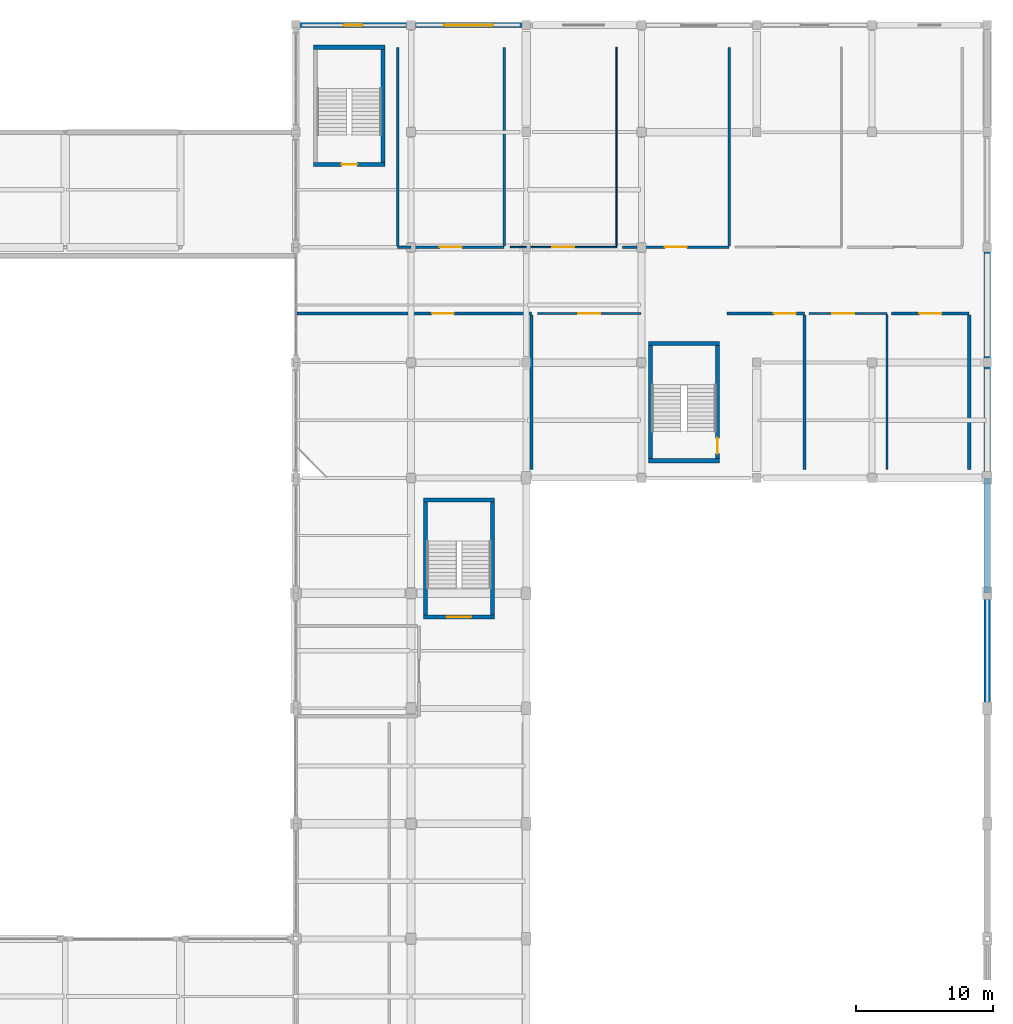
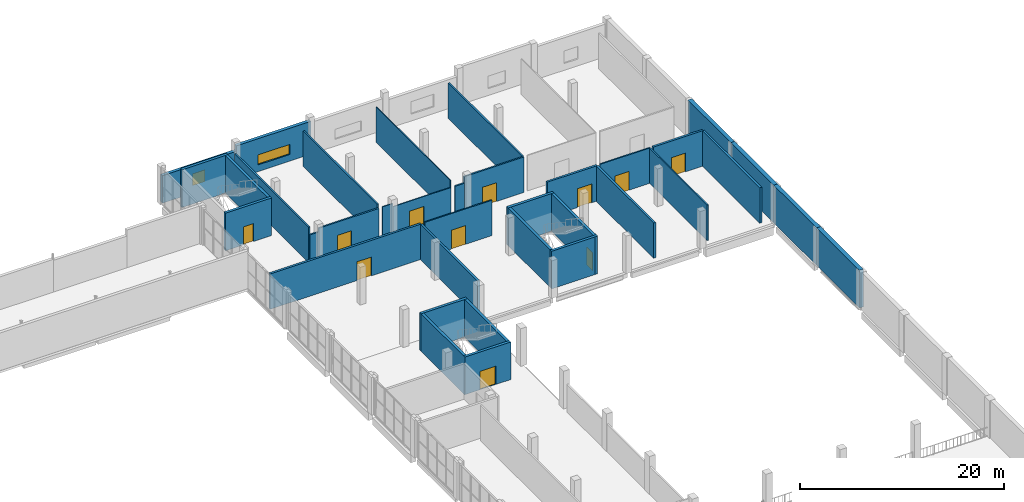
# One storey, part 64 of 75: 36 walls, 11 doors, 2 windows, 13 openings.
"""IFC4 building model written with IfcOpenShell, lengths in metres."""

from ifc_helpers import new_model, si_unit, derived_unit, direction, frame, frame_2d, origin, place, context, subcontext, project, spatial, rectangle, extrude, material, layer, layer_set, type_object, element, fill, save


model = new_model("IFC4")

# Units and contexts
model_context = context("Model", 3, precision=1e-05, world=origin(), true_north=direction((0.0, 1.0)))
body_context = subcontext(model_context, "Body", "Model", "MODEL_VIEW")
ifc_project = project(units=[si_unit("LENGTHUNIT", "METRE"), si_unit("AREAUNIT", "SQUARE_METRE"), si_unit("VOLUMEUNIT", "CUBIC_METRE"), si_unit("PLANEANGLEUNIT", "RADIAN"), si_unit("MASSUNIT", "GRAM", prefix="KILO"), derived_unit("THERMALTRANSMITTANCEUNIT", [(si_unit("POWERUNIT", "WATT"), 1), (si_unit("LENGTHUNIT", "METRE"), -2), (si_unit("THERMODYNAMICTEMPERATUREUNIT", "KELVIN"), -1)])], contexts=[model_context])

# Site, building, storey
site_placement = place(None, origin())
site = spatial("IfcSite", under=ifc_project, at=site_placement, CompositionType="ELEMENT")
building_placement = place(site_placement, origin())
building = spatial("IfcBuilding", under=site, at=building_placement, Name="Barrovel Congress Hotel", CompositionType="ELEMENT")
storey_placement = place(building_placement, frame((0.0, 0.0, 5.39990234375)))
storey = spatial("IfcBuildingStorey", under=building, at=storey_placement, Name="L01", CompositionType="ELEMENT", Elevation=5.39990234375)

# Wall, opening, window
ifc_material_1 = material(Name="Fired Clay Brick Masonry", Category="masonry")
ifc_layer_1 = layer(ifc_material_1, 0.360107421875)
ifc_layer_set_1 = layer_set([ifc_layer_1], Name="Fired Clay Brick Masonry")
wall_type_1 = type_object("IfcWallType", Name="EW-BRK360", PredefinedType="STANDARD", material=ifc_layer_set_1)
wall_1_placement = place(storey_placement, frame((142.800048828125, 112.800048828125, 0.0), z_axis=(0.0, 0.0, 1.0), x_axis=(-1.0, 0.0, 0.0)))
wall_1 = element("IfcWall", 1, at=wall_1_placement, inside=storey, type_object=wall_type_1, Name="EW:L01:V3N:16", PredefinedType="STANDARD", context=body_context, shape_type="SweptSolid", body=[
    extrude(rectangle(XDim=8.400146484375, YDim=0.360107421875, at=frame_2d((4.2001953125, 0.0))), origin(), (0.0, 0.0, 1.0), 3.93017578125),
])
opening_1_placement = place(wall_1_placement, frame((2.39990234375, 0.0, 0.800048828125)))
opening_1 = element("IfcOpeningElement", 2, at=opening_1_placement, cuts=wall_1, Name="Opening WN-17", PredefinedType="OPENING", context=body_context, shape_type="SweptSolid", body=[
    extrude(rectangle(XDim=3.60009765625, YDim=1.199951171875, at=frame_2d((1.800048828125, 0.60009765625))), frame((0.0, 0.18994140625, 0.0), z_axis=(0.0, -1.0, 0.0), x_axis=(1.0, 0.0, 0.0)), (0.0, 0.0, 1.0), 0.380126953125),
])
ifc_material_2 = material(Name="Double Low-E Insulated Glazing", Category="glass")
window_type_1 = type_object("IfcWindowType", Name="WIN-WN-17", PartitioningType="SINGLE_PANEL", PredefinedType="WINDOW", material=ifc_material_2)
window_1_placement = place(opening_1_placement, origin())
window_1 = element("IfcWindow", 3, at=window_1_placement, inside=storey, type_object=window_type_1, Name="WIN:L01:V3N:16", OverallHeight=1.199951171875, OverallWidth=3.60009765625, PartitioningType="SINGLE_PANEL", PredefinedType="WINDOW", context=body_context, shape_type="SweptSolid", body=[
    extrude(rectangle(XDim=3.60009765625, YDim=1.199951171875, at=frame_2d((1.800048828125, 0.60009765625))), frame((0.0, 0.030029296875, 0.0), z_axis=(0.0, -1.0, 0.0), x_axis=(1.0, 0.0, 0.0)), (0.0, 0.0, 1.0), 0.06005859375),
])
fill(opening_1, window_1)

wall_2_placement = place(storey_placement, frame((134.39990234375, 112.800048828125, 0.0), z_axis=(0.0, 0.0, 1.0), x_axis=(-1.0, 0.0, 0.0)))
wall_2 = element("IfcWall", 4, at=wall_2_placement, inside=storey, type_object=wall_type_1, Name="EW:L01:V3N:15", PredefinedType="STANDARD", context=body_context, shape_type="SweptSolid", body=[
    extrude(rectangle(XDim=8.39990234375, YDim=0.360107421875, at=frame_2d((4.199951171875, 0.0))), origin(), (0.0, 0.0, 1.0), 3.2900390625),
])
opening_2_placement = place(wall_2_placement, frame((3.5, 0.0, 0.800048828125)))
opening_2 = element("IfcOpeningElement", 5, at=opening_2_placement, cuts=wall_2, Name="Opening WN-18", PredefinedType="OPENING", context=body_context, shape_type="SweptSolid", body=[
    extrude(rectangle(XDim=1.39990234375, YDim=1.39990234375, at=frame_2d((0.699951171875, 0.699951171875))), frame((0.0, 0.18994140625, 0.0), z_axis=(0.0, -1.0, 0.0), x_axis=(1.0, 0.0, 0.0)), (0.0, 0.0, 1.0), 0.380126953125),
])
window_type_2 = type_object("IfcWindowType", Name="WIN-WN-18", PartitioningType="SINGLE_PANEL", PredefinedType="WINDOW", material=ifc_material_2)
window_2_placement = place(opening_2_placement, origin())
window_2 = element("IfcWindow", 6, at=window_2_placement, inside=storey, type_object=window_type_2, Name="WIN:L01:V3N:15", OverallHeight=1.39990234375, OverallWidth=1.39990234375, PartitioningType="SINGLE_PANEL", PredefinedType="WINDOW", context=body_context, shape_type="SweptSolid", body=[
    extrude(rectangle(XDim=1.39990234375, YDim=1.39990234375, at=frame_2d((0.699951171875, 0.699951171875))), frame((0.0, 0.030029296875, 0.0), z_axis=(0.0, -1.0, 0.0), x_axis=(1.0, 0.0, 0.0)), (0.0, 0.0, 1.0), 0.06005859375),
])
fill(opening_2, window_2)

# Walls
ifc_layer_2 = layer(ifc_material_1, 0.449951171875)
ifc_layer_set_2 = layer_set([ifc_layer_2], Name="Fired Clay Brick Masonry")
wall_type_2 = type_object("IfcWallType", Name="EW-PW450", PredefinedType="STANDARD", material=ifc_layer_set_2)
wall_3_placement = place(storey_placement, frame((176.39990234375, 63.0, 0.0), z_axis=(0.0, 0.0, 1.0), x_axis=(0.0, 1.0, 0.0)))
element("IfcWall", 7, at=wall_3_placement, inside=storey, type_object=wall_type_2, Name="EW:L01:PARTY:63.0", PredefinedType="STANDARD", context=body_context, shape_type="SweptSolid", body=[
    extrude(rectangle(XDim=8.39990234375, YDim=0.449951171875, at=frame_2d((4.199951171875, 0.0))), origin(), (0.0, 0.0, 1.0), 4.5),
])
wall_4_placement = place(storey_placement, frame((176.39990234375, 71.39990234375, 0.0), z_axis=(0.0, 0.0, 1.0), x_axis=(0.0, 1.0, 0.0)))
element("IfcWall", 8, at=wall_4_placement, inside=storey, type_object=wall_type_2, Name="EW:L01:PARTY:71.4", PredefinedType="STANDARD", context=body_context, shape_type="SweptSolid", body=[
    extrude(rectangle(XDim=8.400146484375, YDim=0.449951171875, at=frame_2d((4.2001953125, 0.0))), origin(), (0.0, 0.0, 1.0), 4.5),
])
wall_5_placement = place(storey_placement, frame((176.39990234375, 79.800048828125, 0.0), z_axis=(0.0, 0.0, 1.0), x_axis=(0.0, 1.0, 0.0)))
element("IfcWall", 9, at=wall_5_placement, inside=storey, type_object=wall_type_2, Name="EW:L01:PARTY:79.8", PredefinedType="STANDARD", context=body_context, shape_type="SweptSolid", body=[
    extrude(rectangle(XDim=8.39990234375, YDim=0.449951171875, at=frame_2d((4.199951171875, 0.0))), origin(), (0.0, 0.0, 1.0), 4.5),
])
wall_6_placement = place(storey_placement, frame((176.39990234375, 88.199951171875, 0.0), z_axis=(0.0, 0.0, 1.0), x_axis=(0.0, 1.0, 0.0)))
element("IfcWall", 10, at=wall_6_placement, inside=storey, type_object=wall_type_2, Name="EW:L01:PARTY:88.2", PredefinedType="STANDARD", context=body_context, shape_type="SweptSolid", body=[
    extrude(rectangle(XDim=8.400146484375, YDim=0.449951171875, at=frame_2d((4.2001953125, 0.0))), origin(), (0.0, 0.0, 1.0), 4.5),
])

# Wall, opening, door
ifc_material_3 = material(Name="Gypsum Acoustic Stud", Category="gypsum")
ifc_layer_3 = layer(ifc_material_3, 0.179931640625)
ifc_layer_set_3 = layer_set([ifc_layer_3], Name="Gypsum Acoustic Stud")
wall_type_3 = type_object("IfcWallType", Name="PW-ACU-180", PredefinedType="PARTITIONING", material=ifc_layer_set_3)
wall_7_placement = place(storey_placement, frame((134.39990234375, 96.6201171875, 0.0), z_axis=(0.0, 0.0, 1.0), x_axis=(1.0, 0.0, 0.0)))
wall_7 = element("IfcWall", 11, at=wall_7_placement, inside=storey, type_object=wall_type_3, Name="RW:SP:L01:TRT-N1:S", PredefinedType="PARTITIONING", context=body_context, shape_type="SweptSolid", body=[
    extrude(rectangle(XDim=6.780029296875, YDim=0.179931640625, at=frame_2d((3.39013671875, 0.0))), origin(), (0.0, 0.0, 1.0), 3.830078125),
])
opening_3_placement = place(wall_7_placement, frame((2.10009765625, 0.0, 0.0)))
opening_3 = element("IfcOpeningElement", 12, at=opening_3_placement, cuts=wall_7, Name="Opening ID-MTG", PredefinedType="OPENING", context=body_context, shape_type="SweptSolid", body=[
    extrude(rectangle(XDim=1.60009765625, YDim=2.25, at=frame_2d((0.800048828125, 1.125))), frame((0.0, 0.10009765625, 0.0), z_axis=(0.0, -1.0, 0.0), x_axis=(1.0, 0.0, 0.0)), (0.0, 0.0, 1.0), 0.199951171875),
])
ifc_material_4 = material(Name="Solid Oak Acoustic Timber Door", Category="wood")
door_type_1 = type_object("IfcDoorType", Name="IDR-ID-MTG", OperationType="NOTDEFINED", PredefinedType="DOOR", material=ifc_material_4)
door_1_placement = place(opening_3_placement, origin())
door_1 = element("IfcDoor", 13, at=door_1_placement, inside=storey, type_object=door_type_1, Name="RD:SP:L01:TRT-N1", OperationType="DOUBLE_DOOR_SINGLE_SWING", OverallHeight=2.25, OverallWidth=1.60009765625, PredefinedType="DOOR", context=body_context, shape_type="SweptSolid", body=[
    extrude(rectangle(XDim=1.60009765625, YDim=2.25, at=frame_2d((0.800048828125, 1.125))), frame((0.0, 0.02490234375, 0.0), z_axis=(0.0, -1.0, 0.0), x_axis=(1.0, 0.0, 0.0)), (0.0, 0.0, 1.0), 0.050048828125),
])
fill(opening_3, door_1)

# Walls
for number, where, z_axis, x_axis, name in (
    (14, (133.419921875, 96.7099609375, 0.0), (0.0, 0.0, 1.0), (0.0, 1.0, 0.0), "RW:SP:L01:TRT-N1:W"),
    (15, (141.179931640625, 96.7099609375, 0.0), (0.0, 0.0, 1.0), (0.0, 1.0, 0.0), "RW:SP:L01:TRT-N1:E"),
):
    element("IfcWall", number, at=place(storey_placement, frame(where, z_axis=z_axis, x_axis=x_axis)), inside=storey, type_object=wall_type_3, Name=name, PredefinedType="PARTITIONING", context=body_context, shape_type="SweptSolid", body=[
        extrude(rectangle(XDim=14.469970703125, YDim=0.179931640625, at=frame_2d((7.23486328125, 0.0))), origin(), (0.0, 0.0, 1.0), 4.235107421875),
    ])

# Wall, opening, door
wall_8_placement = place(storey_placement, frame((150.875, 96.6201171875, 0.0), z_axis=(0.0, 0.0, 1.0), x_axis=(1.0, 0.0, 0.0)))
wall_8 = element("IfcWall", 16, at=wall_8_placement, inside=storey, type_object=wall_type_3, Name="RW:SP:L01:TRT-N3:S", PredefinedType="PARTITIONING", context=body_context, shape_type="SweptSolid", body=[
    extrude(rectangle(XDim=6.705078125, YDim=0.179931640625, at=frame_2d((3.3525390625, 0.0))), origin(), (0.0, 0.0, 1.0), 4.235107421875),
])
opening_4_placement = place(wall_8_placement, frame((2.02490234375, 0.0, 0.0)))
opening_4 = element("IfcOpeningElement", 17, at=opening_4_placement, cuts=wall_8, Name="Opening ID-MTG", PredefinedType="OPENING", context=body_context, shape_type="SweptSolid", body=[
    extrude(rectangle(XDim=1.60009765625, YDim=2.25, at=frame_2d((0.800048828125, 1.125))), frame((0.0, 0.10009765625, 0.0), z_axis=(0.0, -1.0, 0.0), x_axis=(1.0, 0.0, 0.0)), (0.0, 0.0, 1.0), 0.199951171875),
])
door_2_placement = place(opening_4_placement, origin())
door_2 = element("IfcDoor", 18, at=door_2_placement, inside=storey, type_object=door_type_1, Name="RD:SP:L01:TRT-N3", OperationType="DOUBLE_DOOR_SINGLE_SWING", OverallHeight=2.25, OverallWidth=1.60009765625, PredefinedType="DOOR", context=body_context, shape_type="SweptSolid", body=[
    extrude(rectangle(XDim=1.60009765625, YDim=2.25, at=frame_2d((0.800048828125, 1.125))), frame((0.0, 0.02490234375, 0.0), z_axis=(0.0, -1.0, 0.0), x_axis=(1.0, 0.0, 0.0)), (0.0, 0.0, 1.0), 0.050048828125),
])
fill(opening_4, door_2)

# Walls
wall_9_placement = place(storey_placement, frame((157.580078125, 96.7099609375, 0.0), z_axis=(0.0, 0.0, 1.0), x_axis=(0.0, 1.0, 0.0)))
element("IfcWall", 19, at=wall_9_placement, inside=storey, type_object=wall_type_3, Name="RW:SP:L01:TRT-N3:E", PredefinedType="PARTITIONING", context=body_context, shape_type="SweptSolid", body=[
    extrude(rectangle(XDim=14.469970703125, YDim=0.179931640625, at=frame_2d((7.23486328125, 0.0))), origin(), (0.0, 0.0, 1.0), 4.235107421875),
])
wall_10_placement = place(storey_placement, frame((133.419921875, 96.6201171875, 0.0), z_axis=(0.0, 0.0, 1.0), x_axis=(1.0, 0.0, 0.0)))
element("IfcWall", 20, at=wall_10_placement, inside=storey, type_object=wall_type_3, Name="RW:SP:L01:TRT-N1:S:P01", PredefinedType="PARTITIONING", context=body_context, shape_type="SweptSolid", body=[
    extrude(rectangle(XDim=0.97998046875, YDim=0.179931640625, at=frame_2d((0.489990234375, 0.0))), origin(), (0.0, 0.0, 1.0), 3.39013671875),
])
wall_11_placement = place(storey_placement, frame((149.820068359375, 96.6201171875, 0.0), z_axis=(0.0, 0.0, 1.0), x_axis=(1.0, 0.0, 0.0)))
element("IfcWall", 21, at=wall_11_placement, inside=storey, type_object=wall_type_3, Name="RW:SP:L01:TRT-N3:S:P01", PredefinedType="PARTITIONING", context=body_context, shape_type="SweptSolid", body=[
    extrude(rectangle(XDim=1.054931640625, YDim=0.179931640625, at=frame_2d((0.52734375, 0.0))), origin(), (0.0, 0.0, 1.0), 3.440185546875),
])

# Wall, opening, door
ifc_layer_4 = layer(ifc_material_3, 0.10009765625)
ifc_layer_set_4 = layer_set([ifc_layer_4], Name="Gypsum Acoustic Stud")
wall_type_4 = type_object("IfcWallType", Name="PW-LGT-100", PredefinedType="PARTITIONING", material=ifc_layer_set_4)
wall_12_placement = place(storey_placement, frame((142.800048828125, 96.6201171875, 0.0), z_axis=(0.0, 0.0, 1.0), x_axis=(1.0, 0.0, 0.0)))
wall_12 = element("IfcWall", 22, at=wall_12_placement, inside=storey, type_object=wall_type_4, Name="RW:SP:L01:TRT-N2:S", PredefinedType="PARTITIONING", context=body_context, shape_type="SweptSolid", body=[
    extrude(rectangle(XDim=6.579833984375, YDim=0.10009765625, at=frame_2d((3.2900390625, 0.0))), origin(), (0.0, 0.0, 1.0), 3.440185546875),
])
opening_5_placement = place(wall_12_placement, frame((1.89990234375, 0.0, 0.0)))
opening_5 = element("IfcOpeningElement", 23, at=opening_5_placement, cuts=wall_12, Name="Opening ID-MTG", PredefinedType="OPENING", context=body_context, shape_type="SweptSolid", body=[
    extrude(rectangle(XDim=1.60009765625, YDim=2.25, at=frame_2d((0.800048828125, 1.125))), frame((0.0, 0.06005859375, 0.0), z_axis=(0.0, -1.0, 0.0), x_axis=(1.0, 0.0, 0.0)), (0.0, 0.0, 1.0), 0.1201171875),
])
door_3_placement = place(opening_5_placement, origin())
door_3 = element("IfcDoor", 24, at=door_3_placement, inside=storey, type_object=door_type_1, Name="RD:SP:L01:TRT-N2", OperationType="DOUBLE_DOOR_SINGLE_SWING", OverallHeight=2.25, OverallWidth=1.60009765625, PredefinedType="DOOR", context=body_context, shape_type="SweptSolid", body=[
    extrude(rectangle(XDim=1.60009765625, YDim=2.25, at=frame_2d((0.800048828125, 1.125))), frame((0.0, 0.02490234375, 0.0), z_axis=(0.0, -1.0, 0.0), x_axis=(1.0, 0.0, 0.0)), (0.0, 0.0, 1.0), 0.050048828125),
])
fill(opening_5, door_3)

# Walls
wall_13_placement = place(storey_placement, frame((149.3798828125, 96.669921875, 0.0), z_axis=(0.0, 0.0, 1.0), x_axis=(0.0, 1.0, 0.0)))
element("IfcWall", 25, at=wall_13_placement, inside=storey, type_object=wall_type_4, Name="RW:SP:L01:TRT-N2:E", PredefinedType="PARTITIONING", context=body_context, shape_type="SweptSolid", body=[
    extrude(rectangle(XDim=14.510009765625, YDim=0.10009765625, at=frame_2d((7.2548828125, 0.0))), origin(), (0.0, 0.0, 1.0), 4.235107421875),
])
wall_14_placement = place(storey_placement, frame((141.6201171875, 96.6201171875, 0.0), z_axis=(0.0, 0.0, 1.0), x_axis=(1.0, 0.0, 0.0)))
element("IfcWall", 26, at=wall_14_placement, inside=storey, type_object=wall_type_4, Name="RW:SP:L01:TRT-N2:S:P01", PredefinedType="PARTITIONING", context=body_context, shape_type="SweptSolid", body=[
    extrude(rectangle(XDim=1.179931640625, YDim=0.10009765625, at=frame_2d((0.58984375, 0.0))), origin(), (0.0, 0.0, 1.0), 3.830078125),
])

# Wall, opening, door
ifc_layer_5 = layer(ifc_material_1, 0.239990234375)
ifc_layer_set_5 = layer_set([ifc_layer_5], Name="Fired Clay Brick Masonry")
wall_type_5 = type_object("IfcWallType", Name="PW-MAS-240", PredefinedType="PARTITIONING", material=ifc_layer_set_5)
wall_15_placement = place(storey_placement, frame((126.080078125, 91.780029296875, 0.0), z_axis=(0.0, 0.0, 1.0), x_axis=(1.0, 0.0, 0.0)))
wall_15 = element("IfcWall", 27, at=wall_15_placement, inside=storey, type_object=wall_type_5, Name="RW:SP:L01:TRT-S1:N", PredefinedType="PARTITIONING", context=body_context, shape_type="SweptSolid", body=[
    extrude(rectangle(XDim=17.099853515625, YDim=0.239990234375, at=frame_2d((8.5498046875, 0.0))), origin(), (0.0, 0.0, 1.0), 4.235107421875),
])
opening_6_placement = place(wall_15_placement, frame((9.85009765625, 0.0, 0.0)))
opening_6 = element("IfcOpeningElement", 28, at=opening_6_placement, cuts=wall_15, Name="Opening ID-MTG", PredefinedType="OPENING", context=body_context, shape_type="SweptSolid", body=[
    extrude(rectangle(XDim=1.60009765625, YDim=2.25, at=frame_2d((0.800048828125, 1.125))), frame((0.0, 0.1298828125, 0.0), z_axis=(0.0, -1.0, 0.0), x_axis=(1.0, 0.0, 0.0)), (0.0, 0.0, 1.0), 0.260009765625),
])
door_4_placement = place(opening_6_placement, origin())
door_4 = element("IfcDoor", 29, at=door_4_placement, inside=storey, type_object=door_type_1, Name="RD:SP:L01:TRT-S1", OperationType="DOUBLE_DOOR_SINGLE_SWING", OverallHeight=2.25, OverallWidth=1.60009765625, PredefinedType="DOOR", context=body_context, shape_type="SweptSolid", body=[
    extrude(rectangle(XDim=1.60009765625, YDim=2.25, at=frame_2d((0.800048828125, 1.125))), frame((0.0, 0.02490234375, 0.0), z_axis=(0.0, -1.0, 0.0), x_axis=(1.0, 0.0, 0.0)), (0.0, 0.0, 1.0), 0.050048828125),
])
fill(opening_6, door_4)

# Wall
wall_16_placement = place(storey_placement, frame((143.179931640625, 80.419921875, 0.0), z_axis=(0.0, 0.0, 1.0), x_axis=(0.0, 1.0, 0.0)))
element("IfcWall", 30, at=wall_16_placement, inside=storey, type_object=wall_type_5, Name="RW:SP:L01:TRT-S1:E", PredefinedType="PARTITIONING", context=body_context, shape_type="SweptSolid", body=[
    extrude(rectangle(XDim=11.239990234375, YDim=0.239990234375, at=frame_2d((5.6201171875, 0.0))), origin(), (0.0, 0.0, 1.0), 4.235107421875),
])

# Wall, opening, door
wall_17_placement = place(storey_placement, frame((157.419921875, 91.780029296875, 0.0), z_axis=(0.0, 0.0, 1.0), x_axis=(1.0, 0.0, 0.0)))
wall_17 = element("IfcWall", 31, at=wall_17_placement, inside=storey, type_object=wall_type_5, Name="RW:SP:L01:TRT-S3:N", PredefinedType="PARTITIONING", context=body_context, shape_type="SweptSolid", body=[
    extrude(rectangle(XDim=5.66015625, YDim=0.239990234375, at=frame_2d((2.830078125, 0.0))), origin(), (0.0, 0.0, 1.0), 4.235107421875),
])
opening_7_placement = place(wall_17_placement, frame((3.429931640625, 0.0, 0.0)))
opening_7 = element("IfcOpeningElement", 32, at=opening_7_placement, cuts=wall_17, Name="Opening ID-MTG", PredefinedType="OPENING", context=body_context, shape_type="SweptSolid", body=[
    extrude(rectangle(XDim=1.60009765625, YDim=2.25, at=frame_2d((0.800048828125, 1.125))), frame((0.0, 0.1298828125, 0.0), z_axis=(0.0, -1.0, 0.0), x_axis=(1.0, 0.0, 0.0)), (0.0, 0.0, 1.0), 0.260009765625),
])
door_5_placement = place(opening_7_placement, origin())
door_5 = element("IfcDoor", 33, at=door_5_placement, inside=storey, type_object=door_type_1, Name="RD:SP:L01:TRT-S3", OperationType="DOUBLE_DOOR_SINGLE_SWING", OverallHeight=2.25, OverallWidth=1.60009765625, PredefinedType="DOOR", context=body_context, shape_type="SweptSolid", body=[
    extrude(rectangle(XDim=1.60009765625, YDim=2.25, at=frame_2d((0.800048828125, 1.125))), frame((0.0, 0.02490234375, 0.0), z_axis=(0.0, -1.0, 0.0), x_axis=(1.0, 0.0, 0.0)), (0.0, 0.0, 1.0), 0.050048828125),
])
fill(opening_7, door_5)

# Wall
wall_18_placement = place(storey_placement, frame((163.080078125, 80.419921875, 0.0), z_axis=(0.0, 0.0, 1.0), x_axis=(0.0, 1.0, 0.0)))
element("IfcWall", 34, at=wall_18_placement, inside=storey, type_object=wall_type_5, Name="RW:SP:L01:TRT-S3:E", PredefinedType="PARTITIONING", context=body_context, shape_type="SweptSolid", body=[
    extrude(rectangle(XDim=11.239990234375, YDim=0.239990234375, at=frame_2d((5.6201171875, 0.0))), origin(), (0.0, 0.0, 1.0), 4.235107421875),
])

# Wall, opening, door
wall_19_placement = place(storey_placement, frame((169.419921875, 91.780029296875, 0.0), z_axis=(0.0, 0.0, 1.0), x_axis=(1.0, 0.0, 0.0)))
wall_19 = element("IfcWall", 35, at=wall_19_placement, inside=storey, type_object=wall_type_5, Name="RW:SP:L01:TRT-S5:N", PredefinedType="PARTITIONING", context=body_context, shape_type="SweptSolid", body=[
    extrude(rectangle(XDim=5.66015625, YDim=0.239990234375, at=frame_2d((2.830078125, 0.0))), origin(), (0.0, 0.0, 1.0), 4.235107421875),
])
opening_8_placement = place(wall_19_placement, frame((2.030029296875, 0.0, 0.0)))
opening_8 = element("IfcOpeningElement", 36, at=opening_8_placement, cuts=wall_19, Name="Opening ID-MTG", PredefinedType="OPENING", context=body_context, shape_type="SweptSolid", body=[
    extrude(rectangle(XDim=1.60009765625, YDim=2.25, at=frame_2d((0.800048828125, 1.125))), frame((0.0, 0.1298828125, 0.0), z_axis=(0.0, -1.0, 0.0), x_axis=(1.0, 0.0, 0.0)), (0.0, 0.0, 1.0), 0.260009765625),
])
door_6_placement = place(opening_8_placement, origin())
door_6 = element("IfcDoor", 37, at=door_6_placement, inside=storey, type_object=door_type_1, Name="RD:SP:L01:TRT-S5", OperationType="DOUBLE_DOOR_SINGLE_SWING", OverallHeight=2.25, OverallWidth=1.60009765625, PredefinedType="DOOR", context=body_context, shape_type="SweptSolid", body=[
    extrude(rectangle(XDim=1.60009765625, YDim=2.25, at=frame_2d((0.800048828125, 1.125))), frame((0.0, 0.02490234375, 0.0), z_axis=(0.0, -1.0, 0.0), x_axis=(1.0, 0.0, 0.0)), (0.0, 0.0, 1.0), 0.050048828125),
])
fill(opening_8, door_6)

# Wall
wall_20_placement = place(storey_placement, frame((175.080078125, 80.419921875, 0.0), z_axis=(0.0, 0.0, 1.0), x_axis=(0.0, 1.0, 0.0)))
element("IfcWall", 38, at=wall_20_placement, inside=storey, type_object=wall_type_5, Name="RW:SP:L01:TRT-S5:E", PredefinedType="PARTITIONING", context=body_context, shape_type="SweptSolid", body=[
    extrude(rectangle(XDim=11.239990234375, YDim=0.239990234375, at=frame_2d((5.6201171875, 0.0))), origin(), (0.0, 0.0, 1.0), 4.235107421875),
])

# Wall, opening, door
ifc_layer_6 = layer(ifc_material_3, 0.14990234375)
ifc_layer_set_6 = layer_set([ifc_layer_6], Name="Gypsum Acoustic Stud")
wall_type_6 = type_object("IfcWallType", Name="PW-STD-150", PredefinedType="PARTITIONING", material=ifc_layer_set_6)
wall_21_placement = place(storey_placement, frame((143.6201171875, 91.780029296875, 0.0), z_axis=(0.0, 0.0, 1.0), x_axis=(1.0, 0.0, 0.0)))
wall_21 = element("IfcWall", 39, at=wall_21_placement, inside=storey, type_object=wall_type_6, Name="RW:SP:L01:TRT-S2:N", PredefinedType="PARTITIONING", context=body_context, shape_type="SweptSolid", body=[
    extrude(rectangle(XDim=7.559814453125, YDim=0.14990234375, at=frame_2d((3.77978515625, 0.0))), origin(), (0.0, 0.0, 1.0), 4.235107421875),
])
opening_9_placement = place(wall_21_placement, frame((2.97998046875, 0.0, 0.0)))
opening_9 = element("IfcOpeningElement", 40, at=opening_9_placement, cuts=wall_21, Name="Opening ID-MTG", PredefinedType="OPENING", context=body_context, shape_type="SweptSolid", body=[
    extrude(rectangle(XDim=1.60009765625, YDim=2.25, at=frame_2d((0.800048828125, 1.125))), frame((0.0, 0.0849609375, 0.0), z_axis=(0.0, -1.0, 0.0), x_axis=(1.0, 0.0, 0.0)), (0.0, 0.0, 1.0), 0.169921875),
])
door_7_placement = place(opening_9_placement, origin())
door_7 = element("IfcDoor", 41, at=door_7_placement, inside=storey, type_object=door_type_1, Name="RD:SP:L01:TRT-S2", OperationType="DOUBLE_DOOR_SINGLE_SWING", OverallHeight=2.25, OverallWidth=1.60009765625, PredefinedType="DOOR", context=body_context, shape_type="SweptSolid", body=[
    extrude(rectangle(XDim=1.60009765625, YDim=2.25, at=frame_2d((0.800048828125, 1.125))), frame((0.0, 0.02490234375, 0.0), z_axis=(0.0, -1.0, 0.0), x_axis=(1.0, 0.0, 0.0)), (0.0, 0.0, 1.0), 0.050048828125),
])
fill(opening_9, door_7)

wall_22_placement = place(storey_placement, frame((163.419921875, 91.780029296875, 0.0), z_axis=(0.0, 0.0, 1.0), x_axis=(1.0, 0.0, 0.0)))
wall_22 = element("IfcWall", 42, at=wall_22_placement, inside=storey, type_object=wall_type_6, Name="RW:SP:L01:TRT-S4:N", PredefinedType="PARTITIONING", context=body_context, shape_type="SweptSolid", body=[
    extrude(rectangle(XDim=5.66015625, YDim=0.14990234375, at=frame_2d((2.830078125, 0.0))), origin(), (0.0, 0.0, 1.0), 4.235107421875),
])
opening_10_placement = place(wall_22_placement, frame((1.679931640625, 0.0, 0.0)))
opening_10 = element("IfcOpeningElement", 43, at=opening_10_placement, cuts=wall_22, Name="Opening ID-MTG", PredefinedType="OPENING", context=body_context, shape_type="SweptSolid", body=[
    extrude(rectangle(XDim=1.60009765625, YDim=2.25, at=frame_2d((0.800048828125, 1.125))), frame((0.0, 0.0849609375, 0.0), z_axis=(0.0, -1.0, 0.0), x_axis=(1.0, 0.0, 0.0)), (0.0, 0.0, 1.0), 0.169921875),
])
door_8_placement = place(opening_10_placement, origin())
door_8 = element("IfcDoor", 44, at=door_8_placement, inside=storey, type_object=door_type_1, Name="RD:SP:L01:TRT-S4", OperationType="DOUBLE_DOOR_SINGLE_SWING", OverallHeight=2.25, OverallWidth=1.60009765625, PredefinedType="DOOR", context=body_context, shape_type="SweptSolid", body=[
    extrude(rectangle(XDim=1.60009765625, YDim=2.25, at=frame_2d((0.800048828125, 1.125))), frame((0.0, 0.02490234375, 0.0), z_axis=(0.0, -1.0, 0.0), x_axis=(1.0, 0.0, 0.0)), (0.0, 0.0, 1.0), 0.050048828125),
])
fill(opening_10, door_8)

# Walls
wall_23_placement = place(storey_placement, frame((169.080078125, 80.419921875, 0.0), z_axis=(0.0, 0.0, 1.0), x_axis=(0.0, 1.0, 0.0)))
element("IfcWall", 45, at=wall_23_placement, inside=storey, type_object=wall_type_6, Name="RW:SP:L01:TRT-S4:E", PredefinedType="PARTITIONING", context=body_context, shape_type="SweptSolid", body=[
    extrude(rectangle(XDim=11.28515625, YDim=0.14990234375, at=frame_2d((5.642578125, 0.0))), origin(), (0.0, 0.0, 1.0), 4.235107421875),
])
ifc_material_5 = material(Name="Concrete C40", Category="concrete")
ifc_layer_7 = layer(ifc_material_5, 0.300048828125)
ifc_layer_set_7 = layer_set([ifc_layer_7], Name="Concrete C40")
wall_type_7 = type_object("IfcWallType", Name="SW-C40-300", PredefinedType="SHEAR", material=ifc_layer_set_7)
wall_24_placement = place(storey_placement, frame((151.699951171875, 81.050048828125, 0.0), z_axis=(0.0, 0.0, 1.0), x_axis=(1.0, 0.0, 0.0)))
element("IfcWall", 46, at=wall_24_placement, inside=storey, type_object=wall_type_7, Name="SHW:XS-06:L01:S", PredefinedType="SHEAR", context=body_context, shape_type="SweptSolid", body=[
    extrude(rectangle(XDim=5.199951171875, YDim=0.300048828125, at=frame_2d((2.60009765625, 0.0))), origin(), (0.0, 0.0, 1.0), 4.5),
])

# Wall, opening, door
wall_25_placement = place(storey_placement, frame((156.75, 80.89990234375, 0.0), z_axis=(0.0, 0.0, 1.0), x_axis=(0.0, 1.0, 0.0)))
wall_25 = element("IfcWall", 47, at=wall_25_placement, inside=storey, type_object=wall_type_7, Name="SHW:XS-06:L01:E", PredefinedType="SHEAR", context=body_context, shape_type="SweptSolid", body=[
    extrude(rectangle(XDim=8.840087890625, YDim=0.300048828125, at=frame_2d((4.419921875, 0.0))), origin(), (0.0, 0.0, 1.0), 4.5),
])
opening_11_placement = place(wall_25_placement, frame((0.675048828125, 0.0, 0.0)))
opening_11 = element("IfcOpeningElement", 48, at=opening_11_placement, cuts=wall_25, Name="Opening ID-ST1", PredefinedType="OPENING", context=body_context, shape_type="SweptSolid", body=[
    extrude(rectangle(XDim=1.14990234375, YDim=2.14990234375, at=frame_2d((0.574951171875, 1.074951171875))), frame((0.0, 0.16015625, 0.0), z_axis=(0.0, -1.0, 0.0), x_axis=(1.0, 0.0, 0.0)), (0.0, 0.0, 1.0), 0.320068359375),
])
ifc_material_6 = material(Name="Painted Hollow-Metal Steel Door", Category="steel")
door_type_2 = type_object("IfcDoorType", Name="IDR-ID-ST1", OperationType="NOTDEFINED", PredefinedType="DOOR", material=ifc_material_6)
door_9_placement = place(opening_11_placement, origin())
door_9 = element("IfcDoor", 49, at=door_9_placement, inside=storey, type_object=door_type_2, Name="Stair Core Fire Door XS-06-L01", OperationType="SINGLE_SWING_RIGHT", OverallHeight=2.14990234375, OverallWidth=1.14990234375, PredefinedType="DOOR", context=body_context, shape_type="SweptSolid", body=[
    extrude(rectangle(XDim=1.14990234375, YDim=2.14990234375, at=frame_2d((0.574951171875, 1.074951171875))), frame((0.0, 0.02490234375, 0.0), z_axis=(0.0, -1.0, 0.0), x_axis=(1.0, 0.0, 0.0)), (0.0, 0.0, 1.0), 0.050048828125),
])
fill(opening_11, door_9)

# Walls
wall_26_placement = place(storey_placement, frame((156.89990234375, 89.590087890625, 0.0), z_axis=(0.0, 0.0, 1.0), x_axis=(-1.0, 0.0, 0.0)))
element("IfcWall", 50, at=wall_26_placement, inside=storey, type_object=wall_type_7, Name="SHW:XS-06:L01:N", PredefinedType="SHEAR", context=body_context, shape_type="SweptSolid", body=[
    extrude(rectangle(XDim=5.199951171875, YDim=0.300048828125, at=frame_2d((2.60009765625, 0.0))), origin(), (0.0, 0.0, 1.0), 4.5),
])
wall_27_placement = place(storey_placement, frame((151.85009765625, 89.739990234375, 0.0), z_axis=(0.0, 0.0, 1.0), x_axis=(0.0, -1.0, 0.0)))
element("IfcWall", 51, at=wall_27_placement, inside=storey, type_object=wall_type_7, Name="SHW:XS-06:L01:W", PredefinedType="SHEAR", context=body_context, shape_type="SweptSolid", body=[
    extrude(rectangle(XDim=8.840087890625, YDim=0.300048828125, at=frame_2d((4.419921875, 0.0))), origin(), (0.0, 0.0, 1.0), 4.5),
])

# Wall, opening, door
wall_28_placement = place(storey_placement, frame((135.300048828125, 69.64990234375, 0.0), z_axis=(0.0, 0.0, 1.0), x_axis=(1.0, 0.0, 0.0)))
wall_28 = element("IfcWall", 52, at=wall_28_placement, inside=storey, type_object=wall_type_7, Name="SHW:XS-09:L01:S", PredefinedType="SHEAR", context=body_context, shape_type="SweptSolid", body=[
    extrude(rectangle(XDim=5.199951171875, YDim=0.300048828125, at=frame_2d((2.60009765625, 0.0))), origin(), (0.0, 0.0, 1.0), 4.5),
])
opening_12_placement = place(wall_28_placement, frame((1.699951171875, 0.0, 0.0)))
opening_12 = element("IfcOpeningElement", 53, at=opening_12_placement, cuts=wall_28, Name="Opening ID-ST2", PredefinedType="OPENING", context=body_context, shape_type="SweptSolid", body=[
    extrude(rectangle(XDim=1.800048828125, YDim=2.199951171875, at=frame_2d((0.89990234375, 1.10009765625))), frame((0.0, 0.16015625, 0.0), z_axis=(0.0, -1.0, 0.0), x_axis=(1.0, 0.0, 0.0)), (0.0, 0.0, 1.0), 0.320068359375),
])
door_type_3 = type_object("IfcDoorType", Name="IDR-ID-ST2", OperationType="NOTDEFINED", PredefinedType="DOOR", material=ifc_material_6)
door_10_placement = place(opening_12_placement, origin())
door_10 = element("IfcDoor", 54, at=door_10_placement, inside=storey, type_object=door_type_3, Name="Stair Core Fire Door XS-09-L01", OperationType="DOUBLE_DOOR_SINGLE_SWING", OverallHeight=2.199951171875, OverallWidth=1.800048828125, PredefinedType="DOOR", context=body_context, shape_type="SweptSolid", body=[
    extrude(rectangle(XDim=1.800048828125, YDim=2.199951171875, at=frame_2d((0.89990234375, 1.10009765625))), frame((0.0, 0.02490234375, 0.0), z_axis=(0.0, -1.0, 0.0), x_axis=(1.0, 0.0, 0.0)), (0.0, 0.0, 1.0), 0.050048828125),
])
fill(opening_12, door_10)

# Walls
wall_29_placement = place(storey_placement, frame((140.35009765625, 69.5, 0.0), z_axis=(0.0, 0.0, 1.0), x_axis=(0.0, 1.0, 0.0)))
element("IfcWall", 55, at=wall_29_placement, inside=storey, type_object=wall_type_7, Name="SHW:XS-09:L01:E", PredefinedType="SHEAR", context=body_context, shape_type="SweptSolid", body=[
    extrude(rectangle(XDim=8.840087890625, YDim=0.300048828125, at=frame_2d((4.419921875, 0.0))), origin(), (0.0, 0.0, 1.0), 4.5),
])
wall_30_placement = place(storey_placement, frame((140.5, 78.18994140625, 0.0), z_axis=(0.0, 0.0, 1.0), x_axis=(-1.0, 0.0, 0.0)))
element("IfcWall", 56, at=wall_30_placement, inside=storey, type_object=wall_type_7, Name="SHW:XS-09:L01:N", PredefinedType="SHEAR", context=body_context, shape_type="SweptSolid", body=[
    extrude(rectangle(XDim=5.199951171875, YDim=0.300048828125, at=frame_2d((2.60009765625, 0.0))), origin(), (0.0, 0.0, 1.0), 4.5),
])
wall_31_placement = place(storey_placement, frame((135.449951171875, 78.340087890625, 0.0), z_axis=(0.0, 0.0, 1.0), x_axis=(0.0, -1.0, 0.0)))
element("IfcWall", 57, at=wall_31_placement, inside=storey, type_object=wall_type_7, Name="SHW:XS-09:L01:W", PredefinedType="SHEAR", context=body_context, shape_type="SweptSolid", body=[
    extrude(rectangle(XDim=8.840087890625, YDim=0.300048828125, at=frame_2d((4.419921875, 0.0))), origin(), (0.0, 0.0, 1.0), 4.5),
])

# Wall, opening, door
wall_32_placement = place(storey_placement, frame((127.300048828125, 102.64990234375, 0.0), z_axis=(0.0, 0.0, 1.0), x_axis=(1.0, 0.0, 0.0)))
wall_32 = element("IfcWall", 58, at=wall_32_placement, inside=storey, type_object=wall_type_7, Name="SHW:XS-10:L01:S", PredefinedType="SHEAR", context=body_context, shape_type="SweptSolid", body=[
    extrude(rectangle(XDim=5.199951171875, YDim=0.300048828125, at=frame_2d((2.60009765625, 0.0))), origin(), (0.0, 0.0, 1.0), 4.5),
])
opening_13_placement = place(wall_32_placement, frame((2.02490234375, 0.0, 0.0)))
opening_13 = element("IfcOpeningElement", 59, at=opening_13_placement, cuts=wall_32, Name="Opening ID-ST1", PredefinedType="OPENING", context=body_context, shape_type="SweptSolid", body=[
    extrude(rectangle(XDim=1.14990234375, YDim=2.14990234375, at=frame_2d((0.574951171875, 1.074951171875))), frame((0.0, 0.16015625, 0.0), z_axis=(0.0, -1.0, 0.0), x_axis=(1.0, 0.0, 0.0)), (0.0, 0.0, 1.0), 0.320068359375),
])
door_11_placement = place(opening_13_placement, origin())
door_11 = element("IfcDoor", 60, at=door_11_placement, inside=storey, type_object=door_type_2, Name="Stair Core Fire Door XS-10-L01", OperationType="SINGLE_SWING_RIGHT", OverallHeight=2.14990234375, OverallWidth=1.14990234375, PredefinedType="DOOR", context=body_context, shape_type="SweptSolid", body=[
    extrude(rectangle(XDim=1.14990234375, YDim=2.14990234375, at=frame_2d((0.574951171875, 1.074951171875))), frame((0.0, 0.02490234375, 0.0), z_axis=(0.0, -1.0, 0.0), x_axis=(1.0, 0.0, 0.0)), (0.0, 0.0, 1.0), 0.050048828125),
])
fill(opening_13, door_11)

# Walls
wall_33_placement = place(storey_placement, frame((132.35009765625, 102.5, 0.0), z_axis=(0.0, 0.0, 1.0), x_axis=(0.0, 1.0, 0.0)))
element("IfcWall", 61, at=wall_33_placement, inside=storey, type_object=wall_type_7, Name="SHW:XS-10:L01:E", PredefinedType="SHEAR", context=body_context, shape_type="SweptSolid", body=[
    extrude(rectangle(XDim=8.840087890625, YDim=0.300048828125, at=frame_2d((4.419921875, 0.0))), origin(), (0.0, 0.0, 1.0), 4.5),
])
wall_34_placement = place(storey_placement, frame((132.5, 111.18994140625, 0.0), z_axis=(0.0, 0.0, 1.0), x_axis=(-1.0, 0.0, 0.0)))
element("IfcWall", 62, at=wall_34_placement, inside=storey, type_object=wall_type_7, Name="SHW:XS-10:L01:N", PredefinedType="SHEAR", context=body_context, shape_type="SweptSolid", body=[
    extrude(rectangle(XDim=5.199951171875, YDim=0.300048828125, at=frame_2d((2.60009765625, 0.0))), origin(), (0.0, 0.0, 1.0), 4.5),
])

save(model, "model.ifc")
